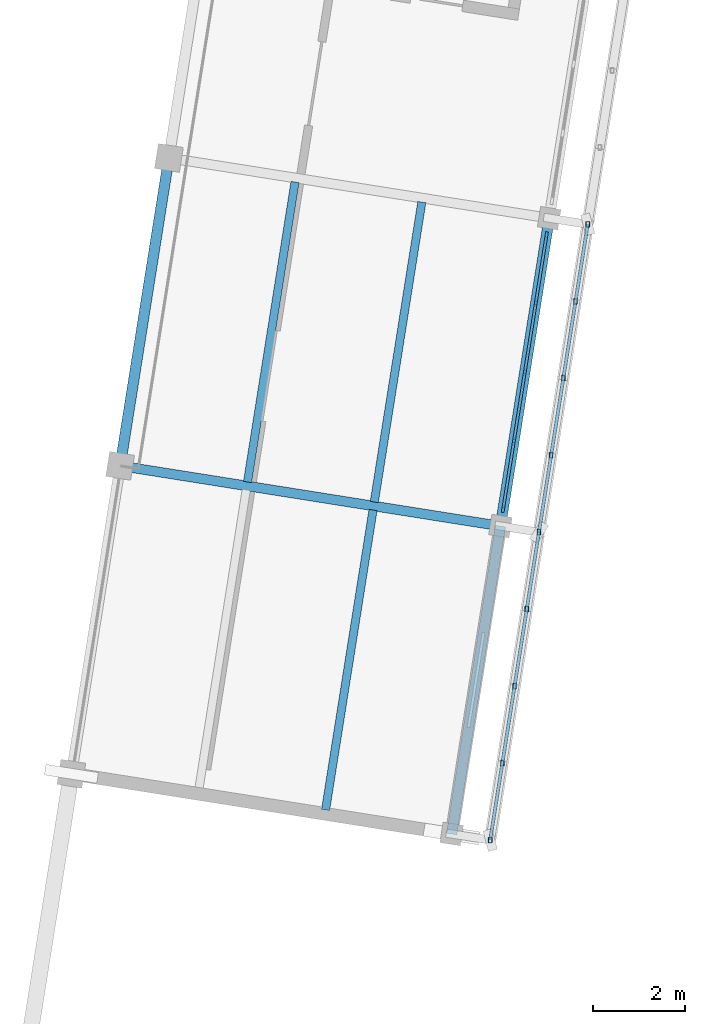
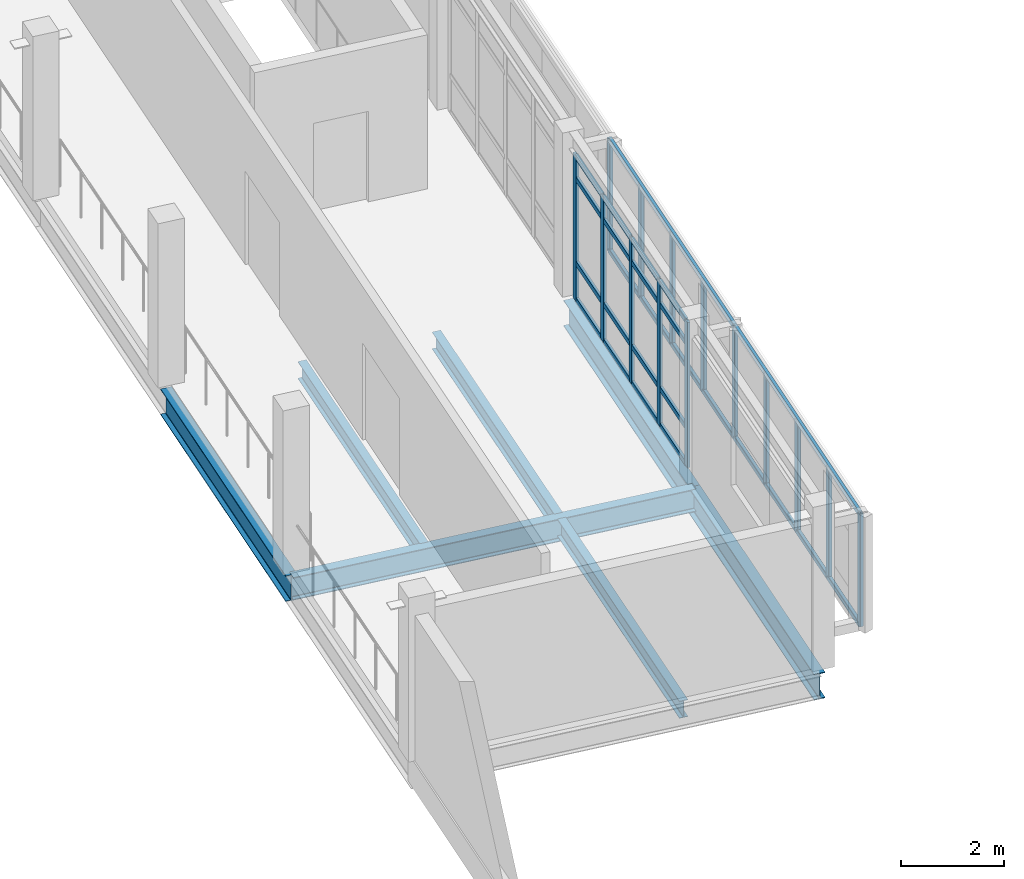
# One storey, part 75 of 117: 34 members, 7 beams, 1 element without a shape of its own.
"""IFC4 building model written with IfcOpenShell, lengths in metres."""

from ifc_helpers import new_model, si_unit, direction, frame, origin, origin_2d, place, context, subcontext, project, spatial, rectangle, hollow_rectangle, i_section, extrude, material, material_profile, profile_set, type_object, element, aggregate, save


model = new_model("IFC4")

# Units and contexts
model_context = context("Model", 3, precision=1e-05, world=origin(), true_north=direction((0.0, 1.0)))
body_context = subcontext(model_context, "Body", "Model", "MODEL_VIEW")
ifc_project = project(units=[si_unit("LENGTHUNIT", "METRE"), si_unit("AREAUNIT", "SQUARE_METRE"), si_unit("VOLUMEUNIT", "CUBIC_METRE"), si_unit("PLANEANGLEUNIT", "RADIAN"), si_unit("MASSUNIT", "GRAM", prefix="KILO")], contexts=[model_context])

# Site, building, storey
site_placement = place(None, origin())
site = spatial("IfcSite", under=ifc_project, at=site_placement, CompositionType="ELEMENT")
building_placement = place(site_placement, origin())
building = spatial("IfcBuilding", under=site, at=building_placement, Name="Cinderway Yard Community Centre", CompositionType="ELEMENT")
storey_placement = place(building_placement, frame((0.0, 0.0, 9.0)))
storey = spatial("IfcBuildingStorey", under=building, at=storey_placement, Name="L02", CompositionType="ELEMENT", Elevation=9.0)

# Curtain wall, members
ifc_material_1 = material(Name="Aluminium 6063-T6", Category="aluminium")
curtain_wall_type = type_object("IfcCurtainWallType", Name="ENV-CW-TYPE-19", PredefinedType="USERDEFINED", material=ifc_material_1)
curtain_wall_placement = place(storey_placement, origin())
curtain_wall = element("IfcCurtainWall", 1, at=curtain_wall_placement, inside=storey, type_object=curtain_wall_type, Name="Fitness East Curtain Wall ENV-CW-L02-ST-0067", ObjectType="GLAZED CURTAIN WALL", PredefinedType="USERDEFINED")
ifc_material_profile_1 = material_profile(ifc_material_1, rectangle(XDim=0.06005859375, YDim=0.159912109375, at=origin_2d()), Name="Aluminium 6063-T6")
ifc_profile_set_1 = profile_set([ifc_material_profile_1], Name="Aluminium 6063-T6")
member_type_1 = type_object("IfcMemberType", Name="ENV-CW-MULL-150", PredefinedType="MULLION", material=ifc_profile_set_1)
member_1_placement = place(storey_placement, frame((149.817626953125, 47.11572265625, 0.0), z_axis=(0.0, 0.0, 1.0), x_axis=(-0.987691073089, 0.156417211778, 0.0)))
member_1 = element("IfcMember", 2, at=member_1_placement, type_object=member_type_1, Name="CW-19 mullion 1", PredefinedType="MULLION", context=body_context, shape_type="SweptSolid", body=[
    extrude(rectangle(XDim=0.06005859375, YDim=0.159912109375, at=origin_2d()), origin(), (0.0, 0.0, 1.0), 3.449951171875),
])
member_2_placement = place(storey_placement, frame((150.051513671875, 48.592041015625, 0.0), z_axis=(0.0, 0.0, 1.0), x_axis=(-0.987691073089, 0.156417211778, 0.0)))
member_2 = element("IfcMember", 3, at=member_2_placement, type_object=member_type_1, Name="CW-19 mullion 2", PredefinedType="MULLION", context=body_context, shape_type="SweptSolid", body=[
    extrude(rectangle(XDim=0.06005859375, YDim=0.159912109375, at=origin_2d()), origin(), (0.0, 0.0, 1.0), 3.449951171875),
])
member_3_placement = place(storey_placement, frame((150.2900390625, 50.097900390625, 0.0), z_axis=(0.0, 0.0, 1.0), x_axis=(-0.987691073089, 0.156417211778, 0.0)))
member_3 = element("IfcMember", 4, at=member_3_placement, type_object=member_type_1, Name="CW-19 mullion 3", PredefinedType="MULLION", context=body_context, shape_type="SweptSolid", body=[
    extrude(rectangle(XDim=0.06005859375, YDim=0.159912109375, at=origin_2d()), origin(), (0.0, 0.0, 1.0), 3.449951171875),
])
member_4_placement = place(storey_placement, frame((150.528564453125, 51.60400390625, 0.0), z_axis=(0.0, 0.0, 1.0), x_axis=(-0.987691073089, 0.156417211778, 0.0)))
member_4 = element("IfcMember", 5, at=member_4_placement, type_object=member_type_1, Name="CW-19 mullion 4", PredefinedType="MULLION", context=body_context, shape_type="SweptSolid", body=[
    extrude(rectangle(XDim=0.06005859375, YDim=0.159912109375, at=origin_2d()), origin(), (0.0, 0.0, 1.0), 3.449951171875),
])
member_5_placement = place(storey_placement, frame((150.76220703125, 53.080322265625, 0.0), z_axis=(0.0, 0.0, 1.0), x_axis=(-0.987691073089, 0.156417211778, 0.0)))
member_5 = element("IfcMember", 6, at=member_5_placement, type_object=member_type_1, Name="CW-19 mullion 5", PredefinedType="MULLION", context=body_context, shape_type="SweptSolid", body=[
    extrude(rectangle(XDim=0.06005859375, YDim=0.159912109375, at=origin_2d()), origin(), (0.0, 0.0, 1.0), 3.449951171875),
])
ifc_material_profile_2 = material_profile(ifc_material_1, rectangle(XDim=0.06005859375, YDim=0.1201171875, at=origin_2d()), Name="Aluminium 6063-T6")
ifc_profile_set_2 = profile_set([ifc_material_profile_2], Name="Aluminium 6063-T6")
member_type_2 = type_object("IfcMemberType", Name="ENV-CW-TRAN-110", PredefinedType="USERDEFINED", material=ifc_profile_set_2)
member_6_placement = place(storey_placement, frame((149.822265625, 47.145263671875, 0.030029296875), z_axis=(0.156556761869, 0.987668962919, 0.0), x_axis=(-0.987668962919, 0.156556761869, 0.0)))
member_6 = element("IfcMember", 7, at=member_6_placement, type_object=member_type_2, Name="CW-19 transom 1.1", ObjectType="TRANSOM", PredefinedType="USERDEFINED", context=body_context, shape_type="SweptSolid", body=[
    extrude(rectangle(XDim=0.06005859375, YDim=0.1201171875, at=origin_2d()), origin(), (0.0, 0.0, 1.0), 1.4345703125),
])
member_7_placement = place(storey_placement, frame((149.822265625, 47.145263671875, 0.89990234375), z_axis=(0.156556761869, 0.987668962919, 0.0), x_axis=(-0.987668962919, 0.156556761869, 0.0)))
member_7 = element("IfcMember", 8, at=member_7_placement, type_object=member_type_2, Name="CW-19 transom 1.2", ObjectType="TRANSOM", PredefinedType="USERDEFINED", context=body_context, shape_type="SweptSolid", body=[
    extrude(rectangle(XDim=0.06005859375, YDim=0.1201171875, at=origin_2d()), origin(), (0.0, 0.0, 1.0), 1.4345703125),
])
member_8_placement = place(storey_placement, frame((149.822265625, 47.145263671875, 2.89990234375), z_axis=(0.156556761869, 0.987668962919, 0.0), x_axis=(-0.987668962919, 0.156556761869, 0.0)))
member_8 = element("IfcMember", 9, at=member_8_placement, type_object=member_type_2, Name="CW-19 transom 1.3", ObjectType="TRANSOM", PredefinedType="USERDEFINED", context=body_context, shape_type="SweptSolid", body=[
    extrude(rectangle(XDim=0.06005859375, YDim=0.1201171875, at=origin_2d()), origin(), (0.0, 0.0, 1.0), 1.4345703125),
])
member_9_placement = place(storey_placement, frame((149.822265625, 47.145263671875, 3.419921875), z_axis=(0.156556761869, 0.987668962919, 0.0), x_axis=(-0.987668962919, 0.156556761869, 0.0)))
member_9 = element("IfcMember", 10, at=member_9_placement, type_object=member_type_2, Name="CW-19 transom 1.4", ObjectType="TRANSOM", PredefinedType="USERDEFINED", context=body_context, shape_type="SweptSolid", body=[
    extrude(rectangle(XDim=0.06005859375, YDim=0.1201171875, at=origin_2d()), origin(), (0.0, 0.0, 1.0), 1.4345703125),
])
member_10_placement = place(storey_placement, frame((150.05615234375, 48.62158203125, 0.030029296875), z_axis=(0.156501745439, 0.987677682078, 0.0), x_axis=(-0.987677682078, 0.156501745439, 0.0)))
member_10 = element("IfcMember", 11, at=member_10_placement, type_object=member_type_2, Name="CW-19 transom 2.1", ObjectType="TRANSOM", PredefinedType="USERDEFINED", context=body_context, shape_type="SweptSolid", body=[
    extrude(rectangle(XDim=0.06005859375, YDim=0.1201171875, at=origin_2d()), origin(), (0.0, 0.0, 1.0), 1.46484375),
])
member_11_placement = place(storey_placement, frame((150.05615234375, 48.62158203125, 0.89990234375), z_axis=(0.156501745439, 0.987677682078, 0.0), x_axis=(-0.987677682078, 0.156501745439, 0.0)))
member_11 = element("IfcMember", 12, at=member_11_placement, type_object=member_type_2, Name="CW-19 transom 2.2", ObjectType="TRANSOM", PredefinedType="USERDEFINED", context=body_context, shape_type="SweptSolid", body=[
    extrude(rectangle(XDim=0.06005859375, YDim=0.1201171875, at=origin_2d()), origin(), (0.0, 0.0, 1.0), 1.46484375),
])
member_12_placement = place(storey_placement, frame((150.05615234375, 48.62158203125, 2.89990234375), z_axis=(0.156501745439, 0.987677682078, 0.0), x_axis=(-0.987677682078, 0.156501745439, 0.0)))
member_12 = element("IfcMember", 13, at=member_12_placement, type_object=member_type_2, Name="CW-19 transom 2.3", ObjectType="TRANSOM", PredefinedType="USERDEFINED", context=body_context, shape_type="SweptSolid", body=[
    extrude(rectangle(XDim=0.06005859375, YDim=0.1201171875, at=origin_2d()), origin(), (0.0, 0.0, 1.0), 1.46484375),
])
member_13_placement = place(storey_placement, frame((150.05615234375, 48.62158203125, 3.419921875), z_axis=(0.156501745439, 0.987677682078, 0.0), x_axis=(-0.987677682078, 0.156501745439, 0.0)))
member_13 = element("IfcMember", 14, at=member_13_placement, type_object=member_type_2, Name="CW-19 transom 2.4", ObjectType="TRANSOM", PredefinedType="USERDEFINED", context=body_context, shape_type="SweptSolid", body=[
    extrude(rectangle(XDim=0.06005859375, YDim=0.1201171875, at=origin_2d()), origin(), (0.0, 0.0, 1.0), 1.46484375),
])
member_14_placement = place(storey_placement, frame((150.294677734375, 50.127685546875, 0.030029296875), z_axis=(0.156501745439, 0.987677682078, 0.0), x_axis=(-0.987677682078, 0.156501745439, 0.0)))
member_14 = element("IfcMember", 15, at=member_14_placement, type_object=member_type_2, Name="CW-19 transom 3.1", ObjectType="TRANSOM", PredefinedType="USERDEFINED", context=body_context, shape_type="SweptSolid", body=[
    extrude(rectangle(XDim=0.06005859375, YDim=0.1201171875, at=origin_2d()), origin(), (0.0, 0.0, 1.0), 1.46484375),
])
member_15_placement = place(storey_placement, frame((150.294677734375, 50.127685546875, 0.89990234375), z_axis=(0.156501745439, 0.987677682078, 0.0), x_axis=(-0.987677682078, 0.156501745439, 0.0)))
member_15 = element("IfcMember", 16, at=member_15_placement, type_object=member_type_2, Name="CW-19 transom 3.2", ObjectType="TRANSOM", PredefinedType="USERDEFINED", context=body_context, shape_type="SweptSolid", body=[
    extrude(rectangle(XDim=0.06005859375, YDim=0.1201171875, at=origin_2d()), origin(), (0.0, 0.0, 1.0), 1.46484375),
])
member_16_placement = place(storey_placement, frame((150.294677734375, 50.127685546875, 2.89990234375), z_axis=(0.156501745439, 0.987677682078, 0.0), x_axis=(-0.987677682078, 0.156501745439, 0.0)))
member_16 = element("IfcMember", 17, at=member_16_placement, type_object=member_type_2, Name="CW-19 transom 3.3", ObjectType="TRANSOM", PredefinedType="USERDEFINED", context=body_context, shape_type="SweptSolid", body=[
    extrude(rectangle(XDim=0.06005859375, YDim=0.1201171875, at=origin_2d()), origin(), (0.0, 0.0, 1.0), 1.46484375),
])
member_17_placement = place(storey_placement, frame((150.294677734375, 50.127685546875, 3.419921875), z_axis=(0.156501745439, 0.987677682078, 0.0), x_axis=(-0.987677682078, 0.156501745439, 0.0)))
member_17 = element("IfcMember", 18, at=member_17_placement, type_object=member_type_2, Name="CW-19 transom 3.4", ObjectType="TRANSOM", PredefinedType="USERDEFINED", context=body_context, shape_type="SweptSolid", body=[
    extrude(rectangle(XDim=0.06005859375, YDim=0.1201171875, at=origin_2d()), origin(), (0.0, 0.0, 1.0), 1.46484375),
])
member_18_placement = place(storey_placement, frame((150.533203125, 51.633544921875, 0.030029296875), z_axis=(0.156364473776, 0.98769942358, 0.0), x_axis=(-0.98769942358, 0.156364473776, 0.0)))
member_18 = element("IfcMember", 19, at=member_18_placement, type_object=member_type_2, Name="CW-19 transom 4.1", ObjectType="TRANSOM", PredefinedType="USERDEFINED", context=body_context, shape_type="SweptSolid", body=[
    extrude(rectangle(XDim=0.06005859375, YDim=0.1201171875, at=origin_2d()), origin(), (0.0, 0.0, 1.0), 1.434814453125),
])
member_19_placement = place(storey_placement, frame((150.533203125, 51.633544921875, 0.89990234375), z_axis=(0.156364473776, 0.98769942358, 0.0), x_axis=(-0.98769942358, 0.156364473776, 0.0)))
member_19 = element("IfcMember", 20, at=member_19_placement, type_object=member_type_2, Name="CW-19 transom 4.2", ObjectType="TRANSOM", PredefinedType="USERDEFINED", context=body_context, shape_type="SweptSolid", body=[
    extrude(rectangle(XDim=0.06005859375, YDim=0.1201171875, at=origin_2d()), origin(), (0.0, 0.0, 1.0), 1.434814453125),
])
member_20_placement = place(storey_placement, frame((150.533203125, 51.633544921875, 2.89990234375), z_axis=(0.156364473776, 0.98769942358, 0.0), x_axis=(-0.98769942358, 0.156364473776, 0.0)))
member_20 = element("IfcMember", 21, at=member_20_placement, type_object=member_type_2, Name="CW-19 transom 4.3", ObjectType="TRANSOM", PredefinedType="USERDEFINED", context=body_context, shape_type="SweptSolid", body=[
    extrude(rectangle(XDim=0.06005859375, YDim=0.1201171875, at=origin_2d()), origin(), (0.0, 0.0, 1.0), 1.434814453125),
])
member_21_placement = place(storey_placement, frame((150.533203125, 51.633544921875, 3.419921875), z_axis=(0.156364473776, 0.98769942358, 0.0), x_axis=(-0.98769942358, 0.156364473776, 0.0)))
member_21 = element("IfcMember", 22, at=member_21_placement, type_object=member_type_2, Name="CW-19 transom 4.4", ObjectType="TRANSOM", PredefinedType="USERDEFINED", context=body_context, shape_type="SweptSolid", body=[
    extrude(rectangle(XDim=0.06005859375, YDim=0.1201171875, at=origin_2d()), origin(), (0.0, 0.0, 1.0), 1.434814453125),
])
aggregate(curtain_wall, [member_1, member_2, member_3, member_4, member_5, member_6, member_7, member_8, member_9, member_10, member_11, member_12, member_13, member_14, member_15, member_16, member_17, member_18, member_19, member_20, member_21])

# Members
ifc_material_2 = material(Name="Steel S355", Category="steel")
ifc_material_profile_3 = material_profile(ifc_material_2, hollow_rectangle(XDim=0.080078125, YDim=0.1201171875, WallThickness=0.00634765625, InnerFilletRadius=0.00634765625, OuterFilletRadius=0.0126953125, at=origin_2d()), Name="Steel S355")
ifc_profile_set_3 = profile_set([ifc_material_profile_3], Name="Steel S355")
member_type_3 = type_object("IfcMemberType", Name="ENV-MEM-SCREEN-RAIL-120", PredefinedType="STRINGER", material=ifc_profile_set_3)
for number, where, z_axis, x_axis, name in (
    (23, (149.533935546875, 39.889892578125, 0.7099609375), (0.156447383815, 0.987686294376, 0.0), (-0.987686294376, 0.156447383815, 0.0), "Screen support rail 1083-BOT"),
    (24, (149.533935546875, 39.889892578125, 3.340087890625), (0.156447383815, 0.987686294376, 0.0), (-0.987686294376, 0.156447383815, 0.0), "Screen support rail 1084-TOP"),
):
    element("IfcMember", number, at=place(storey_placement, frame(where, z_axis=z_axis, x_axis=x_axis)), inside=storey, type_object=member_type_3, Name=name, PredefinedType="STRINGER", context=body_context, shape_type="SweptSolid", body=[
        extrude(hollow_rectangle(XDim=0.080078125, YDim=0.1201171875, WallThickness=0.00634765625, InnerFilletRadius=0.00634765625, OuterFilletRadius=0.0126953125, at=origin_2d()), origin(), (0.0, 0.0, 1.0), 6.80078125),
    ])
for number, where, z_axis, x_axis, name in (
    (25, (149.533935546875, 39.889892578125, 0.68994140625), (0.0, 0.0, 1.0), (1.0, 0.0, 0.0), "Screen vertical mullion 1085"),
    (26, (149.800048828125, 41.569091796875, 0.68994140625), (0.0, 0.0, 1.0), (1.0, 0.0, 0.0), "Screen vertical mullion 1086"),
    (27, (150.06591796875, 43.248046875, 0.68994140625), (0.0, 0.0, 1.0), (1.0, 0.0, 0.0), "Screen vertical mullion 1087"),
    (28, (150.33203125, 44.927978515625, 0.68994140625), (0.0, 0.0, 1.0), (1.0, 0.0, 0.0), "Screen vertical mullion 1088"),
    (29, (150.597900390625, 46.60693359375, 0.68994140625), (0.0, 0.0, 1.0), (1.0, 0.0, 0.0), "Screen vertical mullion 1089"),
):
    element("IfcMember", number, at=place(storey_placement, frame(where, z_axis=z_axis, x_axis=x_axis)), inside=storey, type_object=member_type_3, Name=name, PredefinedType="STRINGER", context=body_context, shape_type="SweptSolid", body=[
        extrude(hollow_rectangle(XDim=0.080078125, YDim=0.1201171875, WallThickness=0.00634765625, InnerFilletRadius=0.00634765625, OuterFilletRadius=0.0126953125, at=origin_2d()), origin(), (0.0, 0.0, 1.0), 2.670166015625),
    ])
for number, where, z_axis, x_axis, name in (
    (30, (150.597900390625, 46.60693359375, 0.7099609375), (0.15650460011, 0.987677229739, 0.0), (-0.987677229739, 0.15650460011, 0.0), "Screen support rail 1091-BOT"),
    (31, (150.597900390625, 46.60693359375, 3.340087890625), (0.15650460011, 0.987677229739, 0.0), (-0.987677229739, 0.15650460011, 0.0), "Screen support rail 1092-TOP"),
):
    element("IfcMember", number, at=place(storey_placement, frame(where, z_axis=z_axis, x_axis=x_axis)), inside=storey, type_object=member_type_3, Name=name, PredefinedType="STRINGER", context=body_context, shape_type="SweptSolid", body=[
        extrude(hollow_rectangle(XDim=0.080078125, YDim=0.1201171875, WallThickness=0.00634765625, InnerFilletRadius=0.00634765625, OuterFilletRadius=0.0126953125, at=origin_2d()), origin(), (0.0, 0.0, 1.0), 6.7998046875),
    ])
for number, where, z_axis, x_axis, name in (
    (32, (150.864013671875, 48.285888671875, 0.68994140625), (0.0, 0.0, 1.0), (1.0, 0.0, 0.0), "Screen vertical mullion 1093"),
    (33, (151.1298828125, 49.965087890625, 0.68994140625), (0.0, 0.0, 1.0), (1.0, 0.0, 0.0), "Screen vertical mullion 1094"),
    (34, (151.39599609375, 51.64404296875, 0.68994140625), (0.0, 0.0, 1.0), (1.0, 0.0, 0.0), "Screen vertical mullion 1095"),
    (35, (151.662109375, 53.322998046875, 0.68994140625), (0.0, 0.0, 1.0), (1.0, 0.0, 0.0), "Screen vertical mullion 1096"),
):
    element("IfcMember", number, at=place(storey_placement, frame(where, z_axis=z_axis, x_axis=x_axis)), inside=storey, type_object=member_type_3, Name=name, PredefinedType="STRINGER", context=body_context, shape_type="SweptSolid", body=[
        extrude(hollow_rectangle(XDim=0.080078125, YDim=0.1201171875, WallThickness=0.00634765625, InnerFilletRadius=0.00634765625, OuterFilletRadius=0.0126953125, at=origin_2d()), origin(), (0.0, 0.0, 1.0), 2.670166015625),
    ])

# Beams
ifc_material_profile_4 = material_profile(ifc_material_2, i_section(OverallWidth=0.178955078125, OverallDepth=0.409912109375, WebThickness=0.0087890625, FlangeThickness=0.013427734375, FilletRadius=0.011962890625, at=origin_2d()), Name="Steel S355")
ifc_profile_set_4 = profile_set([ifc_material_profile_4], Name="Steel S355")
beam_type_1 = type_object("IfcBeamType", Name="STR-BM-W410X67", PredefinedType="JOIST", material=ifc_profile_set_4)
beam_1_placement = place(storey_placement, frame((145.943115234375, 40.548095703125, -0.445068359375), z_axis=(0.156373237585, 0.987698036126, 0.0), x_axis=(-0.987698036126, 0.156373237585, 0.0)))
element("IfcBeam", 36, at=beam_1_placement, inside=storey, type_object=beam_type_1, Name="Secondary joist STR-BM-L02-SJ02-0419", PredefinedType="JOIST", context=body_context, shape_type="SweptSolid", body=[
    extrude(i_section(OverallWidth=0.178955078125, OverallDepth=0.409912109375, WebThickness=0.0087890625, FlangeThickness=0.013427734375, FilletRadius=0.011962890625, at=origin_2d()), origin(), (0.0, 0.0, 1.0), 6.62451171875),
])
beam_2_placement = place(storey_placement, frame((144.240966796875, 47.701904296875, -0.445068359375), z_axis=(0.156403497309, 0.987693244904, 0.0), x_axis=(-0.987693244904, 0.156403497309, 0.0)))
element("IfcBeam", 37, at=beam_2_placement, inside=storey, type_object=beam_type_1, Name="Secondary joist STR-BM-L02-SJ02-0420", PredefinedType="JOIST", context=body_context, shape_type="SweptSolid", body=[
    extrude(i_section(OverallWidth=0.178955078125, OverallDepth=0.409912109375, WebThickness=0.0087890625, FlangeThickness=0.013427734375, FilletRadius=0.011962890625, at=origin_2d()), origin(), (0.0, 0.0, 1.0), 6.624755859375),
])
beam_3_placement = place(storey_placement, frame((147.006103515625, 47.263916015625, -0.445068359375), z_axis=(0.156517045486, 0.987675257599, 0.0), x_axis=(-0.987675257599, 0.156517045486, 0.0)))
element("IfcBeam", 38, at=beam_3_placement, inside=storey, type_object=beam_type_1, Name="Secondary joist STR-BM-L02-SJ02-0421", PredefinedType="JOIST", context=body_context, shape_type="SweptSolid", body=[
    extrude(i_section(OverallWidth=0.178955078125, OverallDepth=0.409912109375, WebThickness=0.0087890625, FlangeThickness=0.013427734375, FilletRadius=0.011962890625, at=origin_2d()), origin(), (0.0, 0.0, 1.0), 6.62451171875),
])
ifc_material_profile_5 = material_profile(ifc_material_2, i_section(OverallWidth=0.2109375, OverallDepth=0.5390625, WebThickness=0.010986328125, FlangeThickness=0.017333984375, FilletRadius=0.013916015625, at=origin_2d()), Name="Steel S355")
ifc_profile_set_5 = profile_set([ifc_material_profile_5], Name="Steel S355")
beam_type_2 = type_object("IfcBeamType", Name="STR-BM-W530X109", PredefinedType="BEAM", material=ifc_profile_set_5)
beam_4_placement = place(storey_placement, frame((141.4619140625, 48.053955078125, -0.510009765625), z_axis=(0.987688617534, -0.156432716505, 0.0), x_axis=(0.156432716505, 0.987688617534, 0.0)))
element("IfcBeam", 39, at=beam_4_placement, inside=storey, type_object=beam_type_2, Name="Primary girder STR-BM-L02-SB06-0407", PredefinedType="BEAM", context=body_context, shape_type="SweptSolid", body=[
    extrude(i_section(OverallWidth=0.2109375, OverallDepth=0.5390625, WebThickness=0.010986328125, FlangeThickness=0.017333984375, FilletRadius=0.013916015625, at=origin_2d()), origin(), (0.0, 0.0, 1.0), 8.399658203125),
])
ifc_material_profile_6 = material_profile(ifc_material_2, i_section(OverallWidth=0.22998046875, OverallDepth=0.616943359375, WebThickness=0.011962890625, FlangeThickness=0.01953125, FilletRadius=0.01611328125, at=origin_2d()), Name="Steel S355")
ifc_profile_set_6 = profile_set([ifc_material_profile_6], Name="Steel S355")
beam_type_3 = type_object("IfcBeamType", Name="STR-BM-W610X140", PredefinedType="BEAM", material=ifc_profile_set_6)
beam_5_placement = place(storey_placement, frame((141.4619140625, 48.053955078125, -0.549072265625), z_axis=(0.156329470887, 0.987704964315, 0.0), x_axis=(-0.987704964315, 0.156329470887, 0.0)))
element("IfcBeam", 40, at=beam_5_placement, inside=storey, type_object=beam_type_3, Name="Transverse girder STR-BM-L02-SB05-0411", PredefinedType="BEAM", context=body_context, shape_type="SweptSolid", body=[
    extrude(i_section(OverallWidth=0.22998046875, OverallDepth=0.616943359375, WebThickness=0.011962890625, FlangeThickness=0.01953125, FilletRadius=0.01611328125, at=origin_2d()), origin(), (0.0, 0.0, 1.0), 6.799560546875),
])
beam_6_placement = place(storey_placement, frame((148.694091796875, 40.02294921875, -0.549072265625), z_axis=(0.156447383815, 0.987686294376, 0.0), x_axis=(-0.987686294376, 0.156447383815, 0.0)))
element("IfcBeam", 41, at=beam_6_placement, inside=storey, type_object=beam_type_3, Name="Transverse girder STR-BM-L02-SB05-0414", PredefinedType="BEAM", context=body_context, shape_type="SweptSolid", body=[
    extrude(i_section(OverallWidth=0.22998046875, OverallDepth=0.616943359375, WebThickness=0.011962890625, FlangeThickness=0.01953125, FilletRadius=0.01611328125, at=origin_2d()), origin(), (0.0, 0.0, 1.0), 6.80078125),
])
beam_7_placement = place(storey_placement, frame((149.758056640625, 46.739990234375, -0.549072265625), z_axis=(0.156469575446, 0.987682779013, 0.0), x_axis=(-0.987682779013, 0.156469575446, 0.0)))
element("IfcBeam", 42, at=beam_7_placement, inside=storey, type_object=beam_type_3, Name="Transverse girder STR-BM-L02-SB05-0415", PredefinedType="BEAM", context=body_context, shape_type="SweptSolid", body=[
    extrude(i_section(OverallWidth=0.22998046875, OverallDepth=0.616943359375, WebThickness=0.011962890625, FlangeThickness=0.01953125, FilletRadius=0.01611328125, at=origin_2d()), origin(), (0.0, 0.0, 1.0), 6.7998046875),
])

save(model, "model.ifc")
